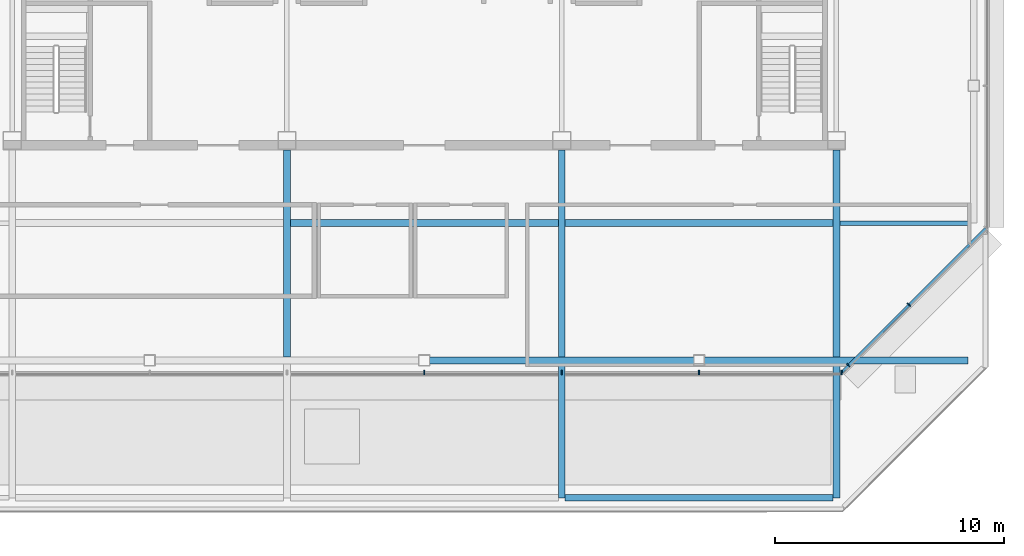
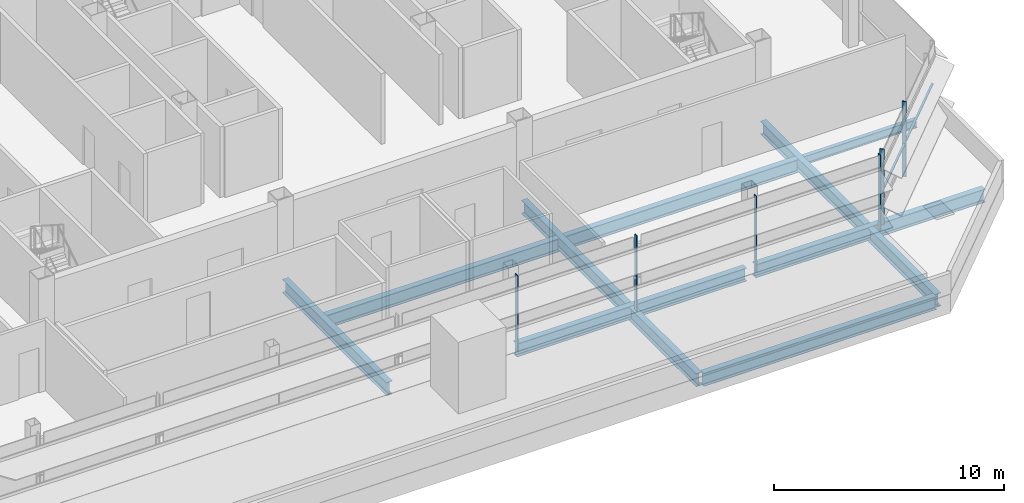
# One storey, part 8 of 26: 11 beams, 7 members, 2 elements without a shape of their own.
"""IFC4 building model written with IfcOpenShell, lengths in metres."""

from ifc_helpers import new_model, si_unit, direction, frame, origin, origin_2d, place, context, subcontext, project, spatial, rectangle, i_section, extrude, material, material_profile, profile_set, type_object, element, aggregate, save


model = new_model("IFC4")

# Units and contexts
model_context = context("Model", 3, precision=1e-05, world=origin(), true_north=direction((0.0, 1.0)))
body_context = subcontext(model_context, "Body", "Model", "MODEL_VIEW")
ifc_project = project(units=[si_unit("LENGTHUNIT", "METRE"), si_unit("AREAUNIT", "SQUARE_METRE"), si_unit("VOLUMEUNIT", "CUBIC_METRE"), si_unit("PLANEANGLEUNIT", "RADIAN"), si_unit("MASSUNIT", "GRAM", prefix="KILO")], contexts=[model_context])

# Site, building, storey
site_placement = place(None, origin())
site = spatial("IfcSite", under=ifc_project, at=site_placement, CompositionType="ELEMENT")
building_placement = place(site_placement, origin())
building = spatial("IfcBuilding", under=site, at=building_placement, Name="Sorahane Residences", CompositionType="ELEMENT")
storey_placement = place(building_placement, frame((0.0, 0.0, 337.800048828125)))
storey = spatial("IfcBuildingStorey", under=building, at=storey_placement, Name="L80", CompositionType="ELEMENT", Elevation=337.800048828125)

# Curtain wall, members
ifc_material_1 = material(Name="Dark low-e glass and black anodised aluminium", Category="aluminium")
curtain_wall_type = type_object("IfcCurtainWallType", Name="Curtain wall CW-6 Crown unitised wall", PredefinedType="NOTDEFINED", material=ifc_material_1)
curtain_wall_1_placement = place(storey_placement, origin())
curtain_wall_1 = element("IfcCurtainWall", 1, at=curtain_wall_1_placement, inside=storey, type_object=curtain_wall_type, Name="CW-6 curtain wall L80 S1", PredefinedType="NOTDEFINED")
ifc_material_2 = material(Name="Black anodised aluminium", Category="aluminium")
ifc_material_profile_1 = material_profile(ifc_material_2, rectangle(XDim=0.199951171875, YDim=0.050048828125, at=origin_2d()), Name="Curtain wall mullion CW-6 black anodised aluminium 50x200")
ifc_profile_set_1 = profile_set([ifc_material_profile_1], Name="Black anodised aluminium")
member_type_1 = type_object("IfcMemberType", Name="Curtain wall mullion CW-6 black anodised aluminium 50x200", PredefinedType="MULLION", material=ifc_profile_set_1)
member_1_placement = place(storey_placement, frame((24.0, 11.47998046875, -0.25), z_axis=(0.0, 0.0, 1.0), x_axis=(0.0, -1.0, 0.0)))
member_1 = element("IfcMember", 2, at=member_1_placement, type_object=member_type_1, Name="CW-6 mullion L80 S1.6", PredefinedType="MULLION", context=body_context, shape_type="SweptSolid", body=[
    extrude(rectangle(XDim=0.199951171875, YDim=0.050048828125, at=origin_2d()), origin(), (0.0, 0.0, 1.0), 4.0),
])
member_2_placement = place(storey_placement, frame((30.0, 11.47998046875, -0.25), z_axis=(0.0, 0.0, 1.0), x_axis=(0.0, -1.0, 0.0)))
member_2 = element("IfcMember", 3, at=member_2_placement, type_object=member_type_1, Name="CW-6 mullion L80 S1.7", PredefinedType="MULLION", context=body_context, shape_type="SweptSolid", body=[
    extrude(rectangle(XDim=0.199951171875, YDim=0.050048828125, at=origin_2d()), origin(), (0.0, 0.0, 1.0), 4.0),
])
member_3_placement = place(storey_placement, frame((36.0, 11.47998046875, -0.25), z_axis=(0.0, 0.0, 1.0), x_axis=(0.0, -1.0, 0.0)))
member_3 = element("IfcMember", 4, at=member_3_placement, type_object=member_type_1, Name="CW-6 mullion L80 S1.8", PredefinedType="MULLION", context=body_context, shape_type="SweptSolid", body=[
    extrude(rectangle(XDim=0.199951171875, YDim=0.050048828125, at=origin_2d()), origin(), (0.0, 0.0, 1.0), 4.0),
])
member_4_placement = place(storey_placement, frame((42.2236328125, 11.47998046875, -0.25), z_axis=(0.0, 0.0, 1.0), x_axis=(0.0, -1.0, 0.0)))
member_4 = element("IfcMember", 5, at=member_4_placement, type_object=member_type_1, Name="CW-6 mullion L80 S1.9", PredefinedType="MULLION", context=body_context, shape_type="SweptSolid", body=[
    extrude(rectangle(XDim=0.199951171875, YDim=0.050048828125, at=origin_2d()), origin(), (0.0, 0.0, 1.0), 4.0),
])
aggregate(curtain_wall_1, [member_1, member_2, member_3, member_4])

curtain_wall_2_placement = place(storey_placement, origin())
curtain_wall_2 = element("IfcCurtainWall", 6, at=curtain_wall_2_placement, inside=storey, type_object=curtain_wall_type, Name="CW-6 curtain wall L80 SE1", PredefinedType="NOTDEFINED")
member_5_placement = place(storey_placement, frame((42.521240234375, 11.785888671875, -0.25), z_axis=(0.0, 0.0, 1.0), x_axis=(0.707106781187, -0.707106781187, 0.0)))
member_5 = element("IfcMember", 7, at=member_5_placement, type_object=member_type_1, Name="CW-6 mullion L80 SE1.2", PredefinedType="MULLION", context=body_context, shape_type="SweptSolid", body=[
    extrude(rectangle(XDim=0.199951171875, YDim=0.050048828125, at=origin_2d()), origin(), (0.0, 0.0, 1.0), 4.0),
])
member_6_placement = place(storey_placement, frame((45.167724609375, 14.432373046875, -0.25), z_axis=(0.0, 0.0, 1.0), x_axis=(0.707106781187, -0.707106781187, 0.0)))
member_6 = element("IfcMember", 8, at=member_6_placement, type_object=member_type_1, Name="CW-6 mullion L80 SE1.3", PredefinedType="MULLION", context=body_context, shape_type="SweptSolid", body=[
    extrude(rectangle(XDim=0.199951171875, YDim=0.050048828125, at=origin_2d()), origin(), (0.0, 0.0, 1.0), 4.0),
])
ifc_material_3 = material(Name="Black anodised aluminium", Category="aluminium")
ifc_material_profile_2 = material_profile(ifc_material_3, rectangle(XDim=0.10009765625, YDim=0.06005859375, at=origin_2d()), Name="Curtain wall transom CW-6 black anodised aluminium 60x100")
ifc_profile_set_2 = profile_set([ifc_material_profile_2], Name="Black anodised aluminium")
member_type_2 = type_object("IfcMemberType", Name="Curtain wall transom CW-6 black anodised aluminium 60x100", PredefinedType="USERDEFINED", material=ifc_profile_set_2)
member_7_placement = place(storey_placement, frame((42.234375, 11.48486328125, 1.5), z_axis=(0.707106781187, 0.707106781187, 0.0), x_axis=(-0.707106781187, 0.707106781187, 0.0)))
member_7 = element("IfcMember", 9, at=member_7_placement, type_object=member_type_2, Name="CW-6 transom L80 SE1", ObjectType="TRANSOM", PredefinedType="USERDEFINED", context=body_context, shape_type="SweptSolid", body=[
    extrude(rectangle(XDim=0.10009765625, YDim=0.06005859375, at=origin_2d()), origin(), (0.0, 0.0, 1.0), 8.88232421875),
])
aggregate(curtain_wall_2, [member_5, member_6, member_7])

# Beams
ifc_material_4 = material(Name="Steel Q355B", Category="steel")
ifc_material_profile_3 = material_profile(ifc_material_4, i_section(OverallWidth=0.199951171875, OverallDepth=0.449951171875, WebThickness=0.009033203125, FlangeThickness=0.013916015625, FilletRadius=0.02001953125, at=origin_2d()), Name="HN 450x200x9x14")
ifc_profile_set_3 = profile_set([ifc_material_profile_3], Name="Steel Q355B")
beam_type_1 = type_object("IfcBeamType", Name="Steel floor beam HN 450x200x9x14 Q355B", PredefinedType="BEAM", material=ifc_profile_set_3)
beam_1_placement = place(storey_placement, frame((42.14990234375, 18.0, -0.47509765625), z_axis=(1.0, 0.0, 0.0), x_axis=(0.0, 1.0, 0.0)))
element("IfcBeam", 10, at=beam_1_placement, inside=storey, type_object=beam_type_1, Name="Beam L80 061", PredefinedType="BEAM", context=body_context, shape_type="SweptSolid", body=[
    extrude(i_section(OverallWidth=0.199951171875, OverallDepth=0.449951171875, WebThickness=0.009033203125, FlangeThickness=0.013916015625, FilletRadius=0.02001953125, at=origin_2d()), origin(), (0.0, 0.0, 1.0), 5.7001953125),
])
ifc_material_5 = material(Name="Steel Q355B", Category="steel")
ifc_material_profile_4 = material_profile(ifc_material_5, i_section(OverallWidth=0.300048828125, OverallDepth=0.699951171875, WebThickness=0.012939453125, FlangeThickness=0.02392578125, FilletRadius=0.028076171875, at=origin_2d()), Name="HN 700x300x13x24")
ifc_profile_set_4 = profile_set([ifc_material_profile_4], Name="Steel Q355B")
beam_type_2 = type_object("IfcBeamType", Name="Steel floor beam HN 700x300x13x24 Q355B", PredefinedType="BEAM", material=ifc_profile_set_4)
beam_2_placement = place(storey_placement, frame((24.22509765625, 12.0, -0.60009765625), z_axis=(1.0, 0.0, 0.0), x_axis=(0.0, 1.0, 0.0)))
element("IfcBeam", 11, at=beam_2_placement, inside=storey, type_object=beam_type_2, Name="Beam L80 004", PredefinedType="BEAM", context=body_context, shape_type="SweptSolid", body=[
    extrude(i_section(OverallWidth=0.300048828125, OverallDepth=0.699951171875, WebThickness=0.012939453125, FlangeThickness=0.02392578125, FilletRadius=0.028076171875, at=origin_2d()), origin(), (0.0, 0.0, 1.0), 11.5498046875),
])
beam_3_placement = place(storey_placement, frame((36.22509765625, 12.0, -0.60009765625), z_axis=(1.0, 0.0, 0.0), x_axis=(0.0, 1.0, 0.0)))
element("IfcBeam", 12, at=beam_3_placement, inside=storey, type_object=beam_type_2, Name="Beam L80 005", PredefinedType="BEAM", context=body_context, shape_type="SweptSolid", body=[
    extrude(i_section(OverallWidth=0.300048828125, OverallDepth=0.699951171875, WebThickness=0.012939453125, FlangeThickness=0.02392578125, FilletRadius=0.028076171875, at=origin_2d()), origin(), (0.0, 0.0, 1.0), 11.52490234375),
])
for number, where, z_axis, x_axis, name in (
    (13, (18.0, 12.14990234375, -0.60009765625), (0.0, 1.0, 0.0), (-1.0, 0.0, 0.0), "Beam L80 029"),
    (14, (30.0, 12.14990234375, -0.60009765625), (0.0, 1.0, 0.0), (-1.0, 0.0, 0.0), "Beam L80 036"),
):
    element("IfcBeam", number, at=place(storey_placement, frame(where, z_axis=z_axis, x_axis=x_axis)), inside=storey, type_object=beam_type_2, Name=name, PredefinedType="BEAM", context=body_context, shape_type="SweptSolid", body=[
        extrude(i_section(OverallWidth=0.300048828125, OverallDepth=0.699951171875, WebThickness=0.012939453125, FlangeThickness=0.02392578125, FilletRadius=0.028076171875, at=origin_2d()), origin(), (0.0, 0.0, 1.0), 9.050048828125),
    ])
beam_4_placement = place(storey_placement, frame((30.0, 6.0, -0.60009765625), z_axis=(0.0, 1.0, 0.0), x_axis=(-1.0, 0.0, 0.0)))
element("IfcBeam", 15, at=beam_4_placement, inside=storey, type_object=beam_type_2, Name="Beam L80 041", PredefinedType="BEAM", context=body_context, shape_type="SweptSolid", body=[
    extrude(i_section(OverallWidth=0.300048828125, OverallDepth=0.699951171875, WebThickness=0.012939453125, FlangeThickness=0.02392578125, FilletRadius=0.028076171875, at=origin_2d()), origin(), (0.0, 0.0, 1.0), 5.85009765625),
])
beam_5_placement = place(storey_placement, frame((42.0, 12.14990234375, -0.60009765625), z_axis=(0.0, 1.0, 0.0), x_axis=(-1.0, 0.0, 0.0)))
element("IfcBeam", 16, at=beam_5_placement, inside=storey, type_object=beam_type_2, Name="Beam L80 043", PredefinedType="BEAM", context=body_context, shape_type="SweptSolid", body=[
    extrude(i_section(OverallWidth=0.300048828125, OverallDepth=0.699951171875, WebThickness=0.012939453125, FlangeThickness=0.02392578125, FilletRadius=0.028076171875, at=origin_2d()), origin(), (0.0, 0.0, 1.0), 9.050048828125),
])
beam_6_placement = place(storey_placement, frame((42.0, 6.0, -0.60009765625), z_axis=(0.0, 1.0, 0.0), x_axis=(-1.0, 0.0, 0.0)))
element("IfcBeam", 17, at=beam_6_placement, inside=storey, type_object=beam_type_2, Name="Beam L80 047", PredefinedType="BEAM", context=body_context, shape_type="SweptSolid", body=[
    extrude(i_section(OverallWidth=0.300048828125, OverallDepth=0.699951171875, WebThickness=0.012939453125, FlangeThickness=0.02392578125, FilletRadius=0.028076171875, at=origin_2d()), origin(), (0.0, 0.0, 1.0), 5.85009765625),
])
for number, where, z_axis, x_axis, name in (
    (18, (30.14990234375, 6.0, -0.60009765625), (1.0, 0.0, 0.0), (0.0, 1.0, 0.0), "Beam L80 055"),
    (19, (18.14990234375, 18.0, -0.60009765625), (1.0, 0.0, 0.0), (0.0, 1.0, 0.0), "Beam L80 059"),
    (20, (30.14990234375, 18.0, -0.60009765625), (1.0, 0.0, 0.0), (0.0, 1.0, 0.0), "Beam L80 060"),
):
    element("IfcBeam", number, at=place(storey_placement, frame(where, z_axis=z_axis, x_axis=x_axis)), inside=storey, type_object=beam_type_2, Name=name, PredefinedType="BEAM", context=body_context, shape_type="SweptSolid", body=[
        extrude(i_section(OverallWidth=0.300048828125, OverallDepth=0.699951171875, WebThickness=0.012939453125, FlangeThickness=0.02392578125, FilletRadius=0.028076171875, at=origin_2d()), origin(), (0.0, 0.0, 1.0), 11.7001953125),
    ])

save(model, "model.ifc")
